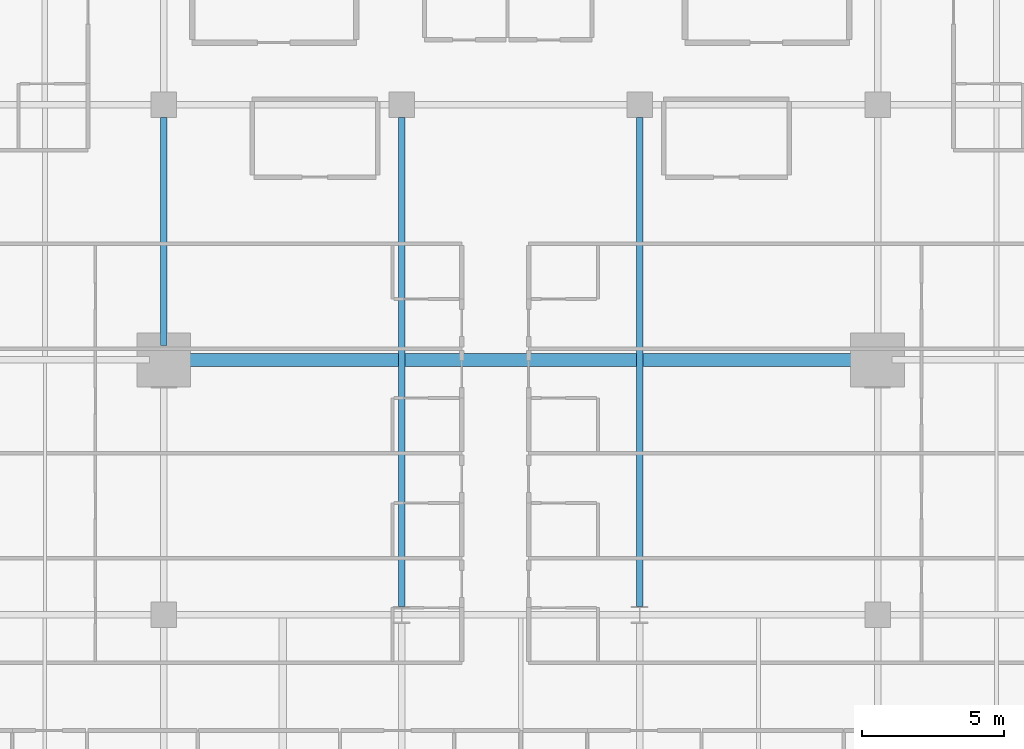
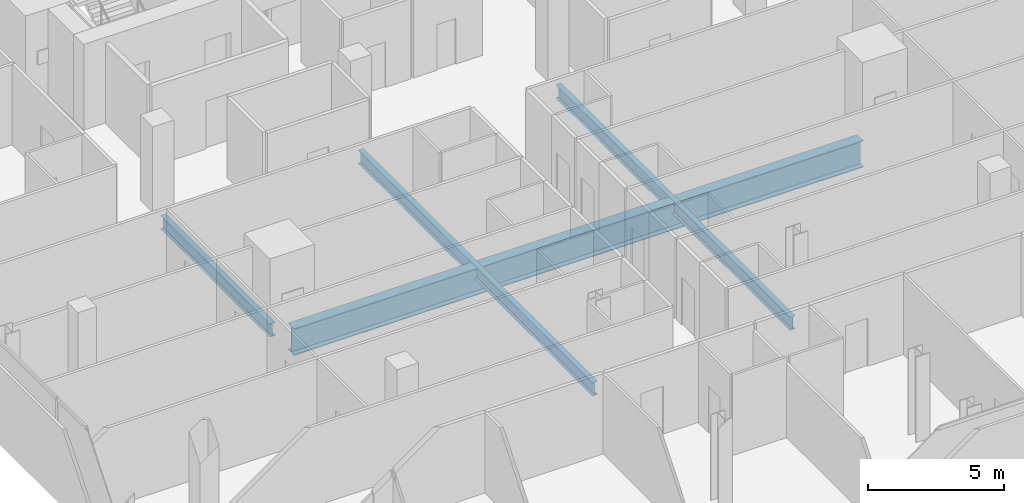
# One storey, part 11 of 34: 4 beams.
"""IFC4 building model written with IfcOpenShell, lengths in metres."""

import ifcopenshell
import ifcopenshell.guid

model = None  # the IFC model being written
_history = None  # IfcOwnerHistory: only IFC2X3 demands one
_inside = {}  # id of a spatial element -> (the spatial element, [elements in it])
_under = {}  # id of a project, library or spatial element -> (it, [spatial elements below it])
_declared = {}  # id of a project -> (the project, [libraries it declares])
_typed = {}  # id of a type object -> (the type object, [elements of that type])
_made_of = {}  # id of a material, layer set ... -> (it, [elements and type objects made of it])


def new_model(schema):
    """Start an empty IFC model of exactly this schema.

    Asked for "IFC4X3", IfcOpenShell would pick the latest addendum, in which some entities
    have other attributes; the version numbers below select the first issue.
    IFC2X3 requires an IfcOwnerHistory on every rooted entity: one is made here for all.
    """
    global model, _history
    if schema == "IFC4X3":
        model = ifcopenshell.file(schema_version=(4, 3, 0, 0))
    else:
        model = ifcopenshell.file(schema=schema)
    _inside.clear()
    _under.clear()
    _declared.clear()
    _typed.clear()
    _made_of.clear()
    _history = None
    if model.schema == "IFC2X3":
        org = make("IfcOrganization", Name="unknown")
        user = make(
            "IfcPersonAndOrganization",
            ThePerson=make("IfcPerson", FamilyName="unknown"),
            TheOrganization=org,
        )
        app = make(
            "IfcApplication",
            ApplicationDeveloper=org,
            Version="unknown",
            ApplicationFullName="unknown",
            ApplicationIdentifier="unknown",
        )
        _history = make(
            "IfcOwnerHistory",
            OwningUser=user,
            OwningApplication=app,
            ChangeAction="ADDED",
            CreationDate=0,
        )
    return model


def make(cls, **values):
    """One entity of the class cls with the attributes given. An attribute that is None is left unset."""
    return model.create_entity(
        cls, **{name: value for name, value in values.items() if value is not None}
    )


def rooted(cls, **values):
    """An entity with a GlobalId (a new one), such as an element, a storey or a relation."""
    return make(cls, GlobalId=ifcopenshell.guid.new(), OwnerHistory=_history, **values)


def si_unit(unit_type, name, prefix=None):
    """IfcSIUnit, for example si_unit("LENGTHUNIT", "METRE", prefix="MILLI")."""
    return make("IfcSIUnit", UnitType=unit_type, Prefix=prefix, Name=name)


def assignment(units):
    """IfcUnitAssignment: the units of a project."""
    return None if units is None else make("IfcUnitAssignment", Units=units)


def point(xyz):
    """IfcCartesianPoint."""
    return None if xyz is None else make("IfcCartesianPoint", Coordinates=xyz)


def direction(xyz):
    """IfcDirection."""
    return None if xyz is None else make("IfcDirection", DirectionRatios=xyz)


def frame(location, z_axis=None, x_axis=None):
    """IfcAxis2Placement3D, a coordinate frame: its origin and axes. An axis left out is left unset."""
    return make(
        "IfcAxis2Placement3D",
        Location=point(location),
        Axis=direction(z_axis),
        RefDirection=direction(x_axis),
    )


def frame_2d(location, x_axis=None):
    """IfcAxis2Placement2D, a coordinate frame in the plane: its origin and x axis."""
    return make(
        "IfcAxis2Placement2D", Location=point(location), RefDirection=direction(x_axis)
    )


def origin():
    """The frame at (0, 0, 0) with its axes left unset."""
    return frame((0.0, 0.0, 0.0))


def origin_2d():
    """The frame at (0, 0) in the plane with its x axis left unset."""
    return frame_2d((0.0, 0.0))


def place(relative_to, where):
    """IfcLocalPlacement: puts the frame where relative to a parent placement (None: the world)."""
    return make(
        "IfcLocalPlacement", PlacementRelTo=relative_to, RelativePlacement=where
    )


def context(
    kind, dimensions, precision=None, world=None, true_north=None, identifier=None
):
    """IfcGeometricRepresentationContext, for example the 3D "Model" context."""
    return make(
        "IfcGeometricRepresentationContext",
        ContextIdentifier=identifier,
        ContextType=kind,
        CoordinateSpaceDimension=dimensions,
        Precision=precision,
        WorldCoordinateSystem=world,
        TrueNorth=true_north,
    )


def subcontext(parent, identifier, kind, view, scale=None):
    """IfcGeometricRepresentationSubContext, for example "Body" below "Model"."""
    return make(
        "IfcGeometricRepresentationSubContext",
        ContextIdentifier=identifier,
        ContextType=kind,
        ParentContext=parent,
        TargetScale=scale,
        TargetView=view,
    )


def project(units=None, contexts=None):
    """IfcProject with its units and contexts."""
    return rooted(
        "IfcProject",
        Name="project",
        RepresentationContexts=contexts,
        UnitsInContext=assignment(units),
    )


def spatial(cls, under=None, at=None, **own):
    """A site, building, storey or space (cls), placed at a placement, below another one or the project."""
    s = rooted(cls, ObjectPlacement=at, **own)
    if under is not None:
        _under.setdefault(under.id(), (under, []))[1].append(s)
    return s


def profile(cls, at=None, kind="AREA", **sizes):
    """A parametric profile (cls). Its sizes go by their IFC names, for example OverallWidth=200.0."""
    return make(cls, ProfileType=kind, Position=at, **sizes)


def i_section(**sizes):
    """IfcIShapeProfileDef."""
    return profile("IfcIShapeProfileDef", **sizes)


def extrude(swept, where, along, depth):
    """IfcExtrudedAreaSolid: the profile swept, set in the frame where, extruded along a direction by depth."""
    return make(
        "IfcExtrudedAreaSolid",
        SweptArea=swept,
        Position=where,
        ExtrudedDirection=direction(along),
        Depth=depth,
    )


def shape(context_of_items, identifier, shape_type, items):
    """IfcShapeRepresentation: the items that make up one representation, for example the "Body"."""
    return make(
        "IfcShapeRepresentation",
        ContextOfItems=context_of_items,
        RepresentationIdentifier=identifier,
        RepresentationType=shape_type,
        Items=items,
    )


def material(Name=None, Category=None):
    """IfcMaterial."""
    return make("IfcMaterial", Name=Name, Category=Category)


def material_profile(
    of_material, cross_section, Name=None, Category=None, Priority=None
):
    """IfcMaterialProfile: a cross section and its material."""
    return make(
        "IfcMaterialProfile",
        Name=Name,
        Material=of_material,
        Profile=cross_section,
        Priority=Priority,
        Category=Category,
    )


def profile_set(profiles, Name=None, composite=None):
    """IfcMaterialProfileSet."""
    return make(
        "IfcMaterialProfileSet",
        Name=Name,
        MaterialProfiles=profiles,
        CompositeProfile=composite,
    )


def made_of(thing, what):
    """Note that an element or type object is made of a material, layer set ...; save() writes the relation."""
    if what is not None:
        _made_of.setdefault(what.id(), (what, []))[1].append(thing)
    return thing


def type_object(cls, material=None, **own):
    """A type object (cls), such as IfcWallType, which elements share."""
    return made_of(rooted(cls, **own), material)


def element(
    cls,
    number,
    at=None,
    inside=None,
    cuts=None,
    type_object=None,
    material=None,
    context=None,
    identifier="Body",
    shape_type=None,
    held_by="IfcProductDefinitionShape",
    body=None,
    shapes=None,
    **own,
):
    """One element of the class cls, such as IfcWall. Its Tag is "e" and its number.

    at: its placement. inside: the storey or other place that contains it. cuts: it is an
    opening in that element (IfcRelVoidsElement). A single representation is given by context,
    identifier, shape_type and body (its items); several are given by shapes. held_by: the class
    of the entity that holds the representations. save() writes the other relations.
    """
    e = rooted(cls, Tag="e%d" % number, ObjectPlacement=at, **own)
    if body is not None:
        shapes = [shape(context, identifier, shape_type, body)]
    if shapes is not None:
        e.Representation = make(held_by, Representations=shapes)
    if inside is not None:
        _inside.setdefault(inside.id(), (inside, []))[1].append(e)
    if cuts is not None:
        rooted(
            "IfcRelVoidsElement", RelatingBuildingElement=cuts, RelatedOpeningElement=e
        )
    if type_object is not None:
        _typed.setdefault(type_object.id(), (type_object, []))[1].append(e)
    return made_of(e, material)


def aggregate(whole, parts):
    """IfcRelAggregates: a whole, such as a stair, and the parts it consists of."""
    return rooted("IfcRelAggregates", RelatingObject=whole, RelatedObjects=parts)


def save(model, path):
    """Write the relations noted so far, then the file.

    IfcRelAggregates (storeys below a building ...), IfcRelContainedInSpatialStructure (elements
    in a storey), IfcRelDefinesByType, IfcRelAssociatesMaterial and IfcRelDeclares: one each for
    every whole, place, type object, material and project.
    """
    for whole, parts in _under.values():
        aggregate(whole, parts)
    for where, things in _inside.values():
        rooted(
            "IfcRelContainedInSpatialStructure",
            RelatedElements=things,
            RelatingStructure=where,
        )
    for kind, things in _typed.values():
        rooted("IfcRelDefinesByType", RelatedObjects=things, RelatingType=kind)
    for what, things in _made_of.values():
        rooted("IfcRelAssociatesMaterial", RelatedObjects=things, RelatingMaterial=what)
    for by, libraries in _declared.values():
        rooted("IfcRelDeclares", RelatingContext=by, RelatedDefinitions=libraries)
    model.write(path)


model = new_model("IFC4")

# Units and contexts
model_context = context("Model", 3, precision=1e-05, world=origin(), true_north=direction((0.0, 1.0)))
body_context = subcontext(model_context, "Body", "Model", "MODEL_VIEW")
ifc_project = project(units=[si_unit("LENGTHUNIT", "METRE"), si_unit("AREAUNIT", "SQUARE_METRE"), si_unit("VOLUMEUNIT", "CUBIC_METRE"), si_unit("PLANEANGLEUNIT", "RADIAN"), si_unit("MASSUNIT", "GRAM", prefix="KILO")], contexts=[model_context])

# Site, building, storey
site_placement = place(None, origin())
site = spatial("IfcSite", under=ifc_project, at=site_placement, CompositionType="ELEMENT")
building_placement = place(site_placement, origin())
building = spatial("IfcBuilding", under=site, at=building_placement, Name="Maruvema Waterfront Hotel and Observation Tower", CompositionType="ELEMENT")
storey_placement = place(building_placement, frame((0.0, 0.0, 192.85009765625)))
storey = spatial("IfcBuildingStorey", under=building, at=storey_placement, Name="L47", CompositionType="ELEMENT", Elevation=192.85009765625)

# Beams
ifc_material_1 = material(Name="Steel ASTM A572 Grade 50", Category="steel")
ifc_material_profile_1 = material_profile(ifc_material_1, i_section(OverallWidth=0.22802734375, OverallDepth=0.60302734375, WebThickness=0.010498046875, FlangeThickness=0.014892578125, FilletRadius=0.01806640625, at=origin_2d()), Name="W610x101.0")
ifc_profile_set_1 = profile_set([ifc_material_profile_1], Name="Steel ASTM A572 Grade 50")
beam_type_1 = type_object("IfcBeamType", Name="Primary Floor Girder W610x101.0", PredefinedType="BEAM", material=ifc_profile_set_1)
beam_1_placement = place(storey_placement, frame((25.199951171875, 27.5, -0.54150390625), z_axis=(0.0, 1.0, 0.0), x_axis=(-1.0, 0.0, 0.0)))
element("IfcBeam", 1, at=beam_1_placement, inside=storey, type_object=beam_type_1, Name="L47 Floor Girder NS-12", PredefinedType="BEAM", context=body_context, shape_type="SweptSolid", body=[
    extrude(i_section(OverallWidth=0.22802734375, OverallDepth=0.60302734375, WebThickness=0.010498046875, FlangeThickness=0.014892578125, FilletRadius=0.01806640625, at=origin_2d()), origin(), (0.0, 0.0, 1.0), 8.050048828125),
])
for number, where, z_axis, x_axis, name in (
    (2, (33.60009765625, 18.300048828125, -0.54150390625), (0.0, 1.0, 0.0), (-1.0, 0.0, 0.0), "L47 Floor Girder NS-16"),
    (3, (42.0, 18.300048828125, -0.54150390625), (0.0, 1.0, 0.0), (-1.0, 0.0, 0.0), "L47 Floor Girder NS-19"),
):
    element("IfcBeam", number, at=place(storey_placement, frame(where, z_axis=z_axis, x_axis=x_axis)), inside=storey, type_object=beam_type_1, Name=name, PredefinedType="BEAM", context=body_context, shape_type="SweptSolid", body=[
        extrude(i_section(OverallWidth=0.22802734375, OverallDepth=0.60302734375, WebThickness=0.010498046875, FlangeThickness=0.014892578125, FilletRadius=0.01806640625, at=origin_2d()), origin(), (0.0, 0.0, 1.0), 17.25),
    ])
ifc_material_2 = material(Name="Steel ABNT NBR 7007 AR 415 (ASTM A572 Grade 50)", Category="steel")
ifc_material_profile_2 = material_profile(ifc_material_2, i_section(OverallWidth=0.449951171875, OverallDepth=1.199951171875, WebThickness=0.01904296875, FlangeThickness=0.031982421875, at=origin_2d()), Name="VS1200x366")
ifc_profile_set_2 = profile_set([ifc_material_profile_2], Name="Steel ABNT NBR 7007 AR 415 (ASTM A572 Grade 50)")
beam_type_2 = type_object("IfcBeamType", Name="Upper Setback Transfer Girder VS1200x366", PredefinedType="USERDEFINED", material=ifc_profile_set_2)
beam_2_placement = place(storey_placement, frame((25.699951171875, 27.0, -0.840087890625), z_axis=(1.0, 0.0, 0.0), x_axis=(0.0, 1.0, 0.0)))
element("IfcBeam", 4, at=beam_2_placement, inside=storey, type_object=beam_type_2, Name="L47 Floor Girder EW-20", ObjectType="TRANSFER GIRDER", PredefinedType="USERDEFINED", context=body_context, shape_type="SweptSolid", body=[
    extrude(i_section(OverallWidth=0.449951171875, OverallDepth=1.199951171875, WebThickness=0.01904296875, FlangeThickness=0.031982421875, at=origin_2d()), origin(), (0.0, 0.0, 1.0), 24.199951171875),
])

save(model, "model.ifc")
